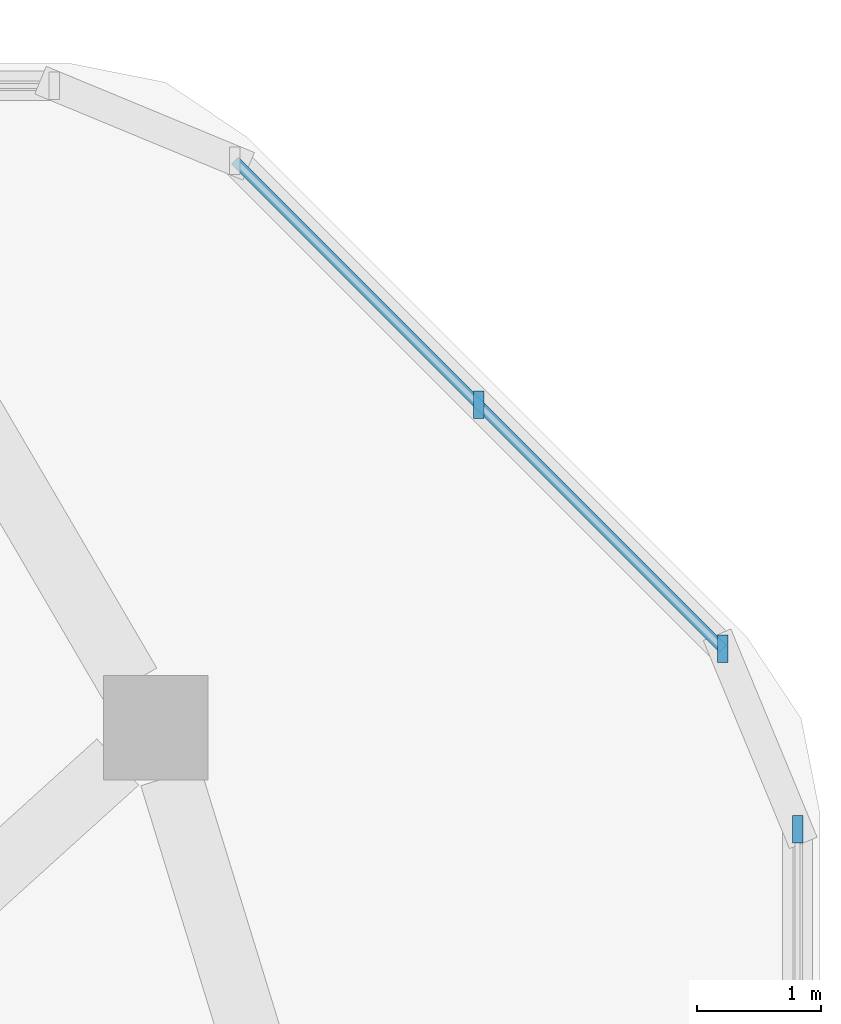
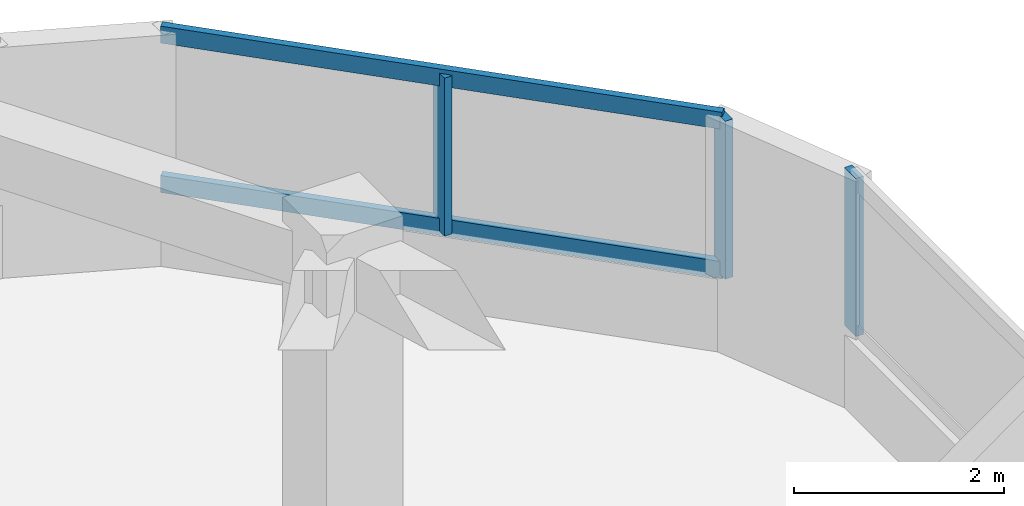
# One storey, part 6 of 13: 5 members, 2 elements without a shape of their own.
"""IFC4 building model written with IfcOpenShell, lengths in metres."""

import ifcopenshell
import ifcopenshell.guid

model = None  # the IFC model being written
_history = None  # IfcOwnerHistory: only IFC2X3 demands one
_inside = {}  # id of a spatial element -> (the spatial element, [elements in it])
_under = {}  # id of a project, library or spatial element -> (it, [spatial elements below it])
_declared = {}  # id of a project -> (the project, [libraries it declares])
_typed = {}  # id of a type object -> (the type object, [elements of that type])
_made_of = {}  # id of a material, layer set ... -> (it, [elements and type objects made of it])


def new_model(schema):
    """Start an empty IFC model of exactly this schema.

    Asked for "IFC4X3", IfcOpenShell would pick the latest addendum, in which some entities
    have other attributes; the version numbers below select the first issue.
    IFC2X3 requires an IfcOwnerHistory on every rooted entity: one is made here for all.
    """
    global model, _history
    if schema == "IFC4X3":
        model = ifcopenshell.file(schema_version=(4, 3, 0, 0))
    else:
        model = ifcopenshell.file(schema=schema)
    _inside.clear()
    _under.clear()
    _declared.clear()
    _typed.clear()
    _made_of.clear()
    _history = None
    if model.schema == "IFC2X3":
        org = make("IfcOrganization", Name="unknown")
        user = make(
            "IfcPersonAndOrganization",
            ThePerson=make("IfcPerson", FamilyName="unknown"),
            TheOrganization=org,
        )
        app = make(
            "IfcApplication",
            ApplicationDeveloper=org,
            Version="unknown",
            ApplicationFullName="unknown",
            ApplicationIdentifier="unknown",
        )
        _history = make(
            "IfcOwnerHistory",
            OwningUser=user,
            OwningApplication=app,
            ChangeAction="ADDED",
            CreationDate=0,
        )
    return model


def make(cls, **values):
    """One entity of the class cls with the attributes given. An attribute that is None is left unset."""
    return model.create_entity(
        cls, **{name: value for name, value in values.items() if value is not None}
    )


def rooted(cls, **values):
    """An entity with a GlobalId (a new one), such as an element, a storey or a relation."""
    return make(cls, GlobalId=ifcopenshell.guid.new(), OwnerHistory=_history, **values)


def si_unit(unit_type, name, prefix=None):
    """IfcSIUnit, for example si_unit("LENGTHUNIT", "METRE", prefix="MILLI")."""
    return make("IfcSIUnit", UnitType=unit_type, Prefix=prefix, Name=name)


def derived_unit(unit_type, elements):
    """IfcDerivedUnit: a product of units, each with its exponent."""
    return make(
        "IfcDerivedUnit",
        Elements=[
            make("IfcDerivedUnitElement", Unit=unit, Exponent=power)
            for unit, power in elements
        ],
        UnitType=unit_type,
    )


def assignment(units):
    """IfcUnitAssignment: the units of a project."""
    return None if units is None else make("IfcUnitAssignment", Units=units)


def point(xyz):
    """IfcCartesianPoint."""
    return None if xyz is None else make("IfcCartesianPoint", Coordinates=xyz)


def direction(xyz):
    """IfcDirection."""
    return None if xyz is None else make("IfcDirection", DirectionRatios=xyz)


def frame(location, z_axis=None, x_axis=None):
    """IfcAxis2Placement3D, a coordinate frame: its origin and axes. An axis left out is left unset."""
    return make(
        "IfcAxis2Placement3D",
        Location=point(location),
        Axis=direction(z_axis),
        RefDirection=direction(x_axis),
    )


def frame_2d(location, x_axis=None):
    """IfcAxis2Placement2D, a coordinate frame in the plane: its origin and x axis."""
    return make(
        "IfcAxis2Placement2D", Location=point(location), RefDirection=direction(x_axis)
    )


def origin():
    """The frame at (0, 0, 0) with its axes left unset."""
    return frame((0.0, 0.0, 0.0))


def origin_2d():
    """The frame at (0, 0) in the plane with its x axis left unset."""
    return frame_2d((0.0, 0.0))


def place(relative_to, where):
    """IfcLocalPlacement: puts the frame where relative to a parent placement (None: the world)."""
    return make(
        "IfcLocalPlacement", PlacementRelTo=relative_to, RelativePlacement=where
    )


def context(
    kind, dimensions, precision=None, world=None, true_north=None, identifier=None
):
    """IfcGeometricRepresentationContext, for example the 3D "Model" context."""
    return make(
        "IfcGeometricRepresentationContext",
        ContextIdentifier=identifier,
        ContextType=kind,
        CoordinateSpaceDimension=dimensions,
        Precision=precision,
        WorldCoordinateSystem=world,
        TrueNorth=true_north,
    )


def subcontext(parent, identifier, kind, view, scale=None):
    """IfcGeometricRepresentationSubContext, for example "Body" below "Model"."""
    return make(
        "IfcGeometricRepresentationSubContext",
        ContextIdentifier=identifier,
        ContextType=kind,
        ParentContext=parent,
        TargetScale=scale,
        TargetView=view,
    )


def project(units=None, contexts=None):
    """IfcProject with its units and contexts."""
    return rooted(
        "IfcProject",
        Name="project",
        RepresentationContexts=contexts,
        UnitsInContext=assignment(units),
    )


def spatial(cls, under=None, at=None, **own):
    """A site, building, storey or space (cls), placed at a placement, below another one or the project."""
    s = rooted(cls, ObjectPlacement=at, **own)
    if under is not None:
        _under.setdefault(under.id(), (under, []))[1].append(s)
    return s


def profile(cls, at=None, kind="AREA", **sizes):
    """A parametric profile (cls). Its sizes go by their IFC names, for example OverallWidth=200.0."""
    return make(cls, ProfileType=kind, Position=at, **sizes)


def rectangle(**sizes):
    """IfcRectangleProfileDef."""
    return profile("IfcRectangleProfileDef", **sizes)


def extrude(swept, where, along, depth):
    """IfcExtrudedAreaSolid: the profile swept, set in the frame where, extruded along a direction by depth."""
    return make(
        "IfcExtrudedAreaSolid",
        SweptArea=swept,
        Position=where,
        ExtrudedDirection=direction(along),
        Depth=depth,
    )


def shape(context_of_items, identifier, shape_type, items):
    """IfcShapeRepresentation: the items that make up one representation, for example the "Body"."""
    return make(
        "IfcShapeRepresentation",
        ContextOfItems=context_of_items,
        RepresentationIdentifier=identifier,
        RepresentationType=shape_type,
        Items=items,
    )


def material(Name=None, Category=None):
    """IfcMaterial."""
    return make("IfcMaterial", Name=Name, Category=Category)


def material_profile(
    of_material, cross_section, Name=None, Category=None, Priority=None
):
    """IfcMaterialProfile: a cross section and its material."""
    return make(
        "IfcMaterialProfile",
        Name=Name,
        Material=of_material,
        Profile=cross_section,
        Priority=Priority,
        Category=Category,
    )


def profile_set(profiles, Name=None, composite=None):
    """IfcMaterialProfileSet."""
    return make(
        "IfcMaterialProfileSet",
        Name=Name,
        MaterialProfiles=profiles,
        CompositeProfile=composite,
    )


def made_of(thing, what):
    """Note that an element or type object is made of a material, layer set ...; save() writes the relation."""
    if what is not None:
        _made_of.setdefault(what.id(), (what, []))[1].append(thing)
    return thing


def type_object(cls, material=None, **own):
    """A type object (cls), such as IfcWallType, which elements share."""
    return made_of(rooted(cls, **own), material)


def element(
    cls,
    number,
    at=None,
    inside=None,
    cuts=None,
    type_object=None,
    material=None,
    context=None,
    identifier="Body",
    shape_type=None,
    held_by="IfcProductDefinitionShape",
    body=None,
    shapes=None,
    **own,
):
    """One element of the class cls, such as IfcWall. Its Tag is "e" and its number.

    at: its placement. inside: the storey or other place that contains it. cuts: it is an
    opening in that element (IfcRelVoidsElement). A single representation is given by context,
    identifier, shape_type and body (its items); several are given by shapes. held_by: the class
    of the entity that holds the representations. save() writes the other relations.
    """
    e = rooted(cls, Tag="e%d" % number, ObjectPlacement=at, **own)
    if body is not None:
        shapes = [shape(context, identifier, shape_type, body)]
    if shapes is not None:
        e.Representation = make(held_by, Representations=shapes)
    if inside is not None:
        _inside.setdefault(inside.id(), (inside, []))[1].append(e)
    if cuts is not None:
        rooted(
            "IfcRelVoidsElement", RelatingBuildingElement=cuts, RelatedOpeningElement=e
        )
    if type_object is not None:
        _typed.setdefault(type_object.id(), (type_object, []))[1].append(e)
    return made_of(e, material)


def aggregate(whole, parts):
    """IfcRelAggregates: a whole, such as a stair, and the parts it consists of."""
    return rooted("IfcRelAggregates", RelatingObject=whole, RelatedObjects=parts)


def save(model, path):
    """Write the relations noted so far, then the file.

    IfcRelAggregates (storeys below a building ...), IfcRelContainedInSpatialStructure (elements
    in a storey), IfcRelDefinesByType, IfcRelAssociatesMaterial and IfcRelDeclares: one each for
    every whole, place, type object, material and project.
    """
    for whole, parts in _under.values():
        aggregate(whole, parts)
    for where, things in _inside.values():
        rooted(
            "IfcRelContainedInSpatialStructure",
            RelatedElements=things,
            RelatingStructure=where,
        )
    for kind, things in _typed.values():
        rooted("IfcRelDefinesByType", RelatedObjects=things, RelatingType=kind)
    for what, things in _made_of.values():
        rooted("IfcRelAssociatesMaterial", RelatedObjects=things, RelatingMaterial=what)
    for by, libraries in _declared.values():
        rooted("IfcRelDeclares", RelatingContext=by, RelatedDefinitions=libraries)
    model.write(path)


model = new_model("IFC4")

# Units and contexts
model_context = context("Model", 3, precision=1e-05, world=origin(), true_north=direction((0.0, 1.0)))
body_context = subcontext(model_context, "Body", "Model", "MODEL_VIEW")
ifc_project = project(units=[si_unit("LENGTHUNIT", "METRE"), si_unit("AREAUNIT", "SQUARE_METRE"), si_unit("VOLUMEUNIT", "CUBIC_METRE"), si_unit("PLANEANGLEUNIT", "RADIAN"), si_unit("MASSUNIT", "GRAM", prefix="KILO"), derived_unit("THERMALTRANSMITTANCEUNIT", [(si_unit("POWERUNIT", "WATT"), 1), (si_unit("LENGTHUNIT", "METRE"), -2), (si_unit("THERMODYNAMICTEMPERATUREUNIT", "KELVIN"), -1)])], contexts=[model_context])

# Site, building, storey
site_placement = place(None, origin())
site = spatial("IfcSite", under=ifc_project, at=site_placement, CompositionType="ELEMENT")
building_placement = place(site_placement, origin())
building = spatial("IfcBuilding", under=site, at=building_placement, Name="Koralith Skygarden Medical Center", CompositionType="ELEMENT")
storey_placement = place(building_placement, frame((0.0, 0.0, 250.02001953125)))
storey = spatial("IfcBuildingStorey", under=building, at=storey_placement, Name="L64", CompositionType="ELEMENT", Elevation=250.02001953125)

# Curtain wall, member
ifc_material_1 = material(Name="Clear Laminated Glass", Category="glass")
curtain_wall_type = type_object("IfcCurtainWallType", Name="CW-6 Zone 5 Upper Clinical Curtain Wall", PredefinedType="NOTDEFINED", material=ifc_material_1)
curtain_wall_1_placement = place(storey_placement, origin())
curtain_wall_1 = element("IfcCurtainWall", 1, at=curtain_wall_1_placement, inside=storey, type_object=curtain_wall_type, Name="Curtain Wall CW-L64-E", PredefinedType="NOTDEFINED")
ifc_material_2 = material(Name="Aluminium 6063-T6", Category="aluminium")
ifc_material_profile_1 = material_profile(ifc_material_2, rectangle(XDim=0.0830078125, YDim=0.219970703125, at=origin_2d()), Name="MUL83X220")
ifc_profile_set_1 = profile_set([ifc_material_profile_1], Name="Aluminium 6063-T6")
member_type_1 = type_object("IfcMemberType", Name="CW-6 Extruded Mullion 83x220", PredefinedType="MULLION", material=ifc_profile_set_1)
member_1_placement = place(storey_placement, frame((61.719970703125, 41.2451171875, 0.85009765625), z_axis=(0.0, 0.0, 1.0), x_axis=(1.0, 0.0, 0.0)))
member_1 = element("IfcMember", 2, at=member_1_placement, type_object=member_type_1, Name="CW-L64-E Mullion 4", PredefinedType="MULLION", context=body_context, shape_type="SweptSolid", body=[
    extrude(rectangle(XDim=0.0830078125, YDim=0.219970703125, at=origin_2d()), origin(), (0.0, 0.0, 1.0), 1.83984375),
])
aggregate(curtain_wall_1, [member_1])

# Curtain wall, members
curtain_wall_2_placement = place(storey_placement, origin())
curtain_wall_2 = element("IfcCurtainWall", 3, at=curtain_wall_2_placement, inside=storey, type_object=curtain_wall_type, Name="Curtain Wall CW-L64-NE", PredefinedType="NOTDEFINED")
member_2_placement = place(storey_placement, frame((61.118896484375, 42.696044921875, 0.85009765625), z_axis=(0.0, 0.0, 1.0), x_axis=(1.0, 0.0, 0.0)))
member_2 = element("IfcMember", 4, at=member_2_placement, type_object=member_type_1, Name="CW-L64-NE Mullion 1", PredefinedType="MULLION", context=body_context, shape_type="SweptSolid", body=[
    extrude(rectangle(XDim=0.0830078125, YDim=0.219970703125, at=origin_2d()), origin(), (0.0, 0.0, 1.0), 1.83984375),
])
member_3_placement = place(storey_placement, frame((59.156982421875, 44.656982421875, 0.85009765625), z_axis=(0.0, 0.0, 1.0), x_axis=(1.0, 0.0, 0.0)))
member_3 = element("IfcMember", 5, at=member_3_placement, type_object=member_type_1, Name="CW-L64-NE Mullion 2", PredefinedType="MULLION", context=body_context, shape_type="SweptSolid", body=[
    extrude(rectangle(XDim=0.0830078125, YDim=0.219970703125, at=origin_2d()), origin(), (0.0, 0.0, 1.0), 1.83984375),
])
ifc_material_profile_2 = material_profile(ifc_material_2, rectangle(XDim=0.077880859375, YDim=0.197998046875, at=origin_2d()), Name="TRN78X198")
ifc_profile_set_2 = profile_set([ifc_material_profile_2], Name="Aluminium 6063-T6")
member_type_2 = type_object("IfcMemberType", Name="CW-6 Thermal Transom 78x198", PredefinedType="USERDEFINED", material=ifc_profile_set_2)
member_4_placement = place(storey_placement, frame((61.118896484375, 42.696044921875, 0.89990234375), z_axis=(-0.707106781187, 0.707106781187, 0.0), x_axis=(-0.707106781187, -0.707106781187, 0.0)))
member_4 = element("IfcMember", 6, at=member_4_placement, type_object=member_type_2, Name="CW-L64-NE Transom 1", ObjectType="TRANSOM", PredefinedType="USERDEFINED", context=body_context, shape_type="SweptSolid", body=[
    extrude(rectangle(XDim=0.077880859375, YDim=0.197998046875, at=origin_2d()), origin(), (0.0, 0.0, 1.0), 5.5478515625),
])
member_5_placement = place(storey_placement, frame((61.118896484375, 42.696044921875, 2.639892578125), z_axis=(-0.707106781187, 0.707106781187, 0.0), x_axis=(-0.707106781187, -0.707106781187, 0.0)))
member_5 = element("IfcMember", 7, at=member_5_placement, type_object=member_type_2, Name="CW-L64-NE Transom 2", ObjectType="TRANSOM", PredefinedType="USERDEFINED", context=body_context, shape_type="SweptSolid", body=[
    extrude(rectangle(XDim=0.077880859375, YDim=0.197998046875, at=origin_2d()), origin(), (0.0, 0.0, 1.0), 5.5478515625),
])
aggregate(curtain_wall_2, [member_2, member_3, member_4, member_5])

save(model, "model.ifc")
